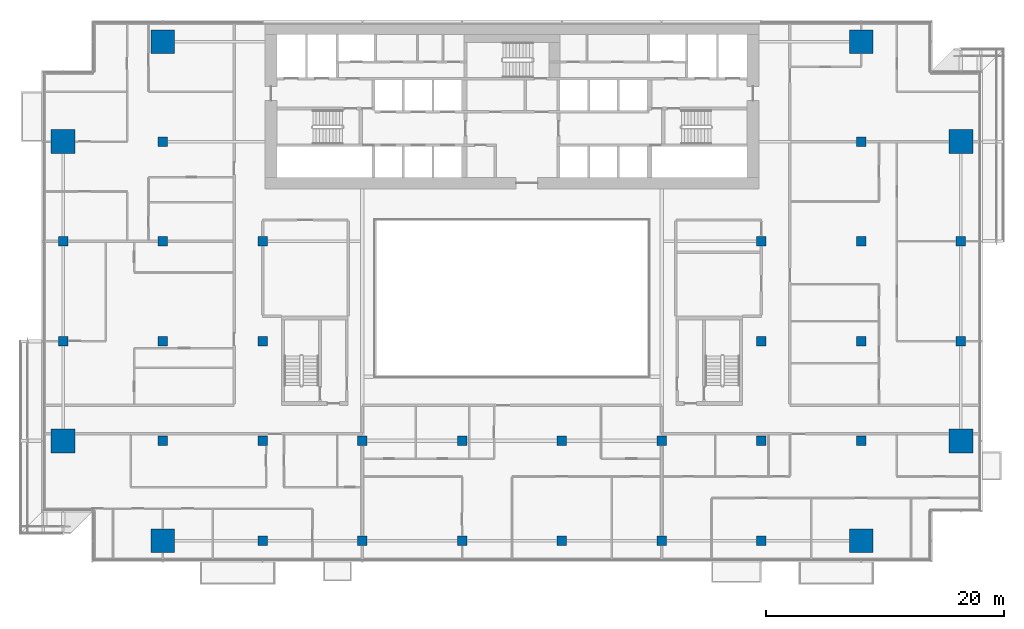
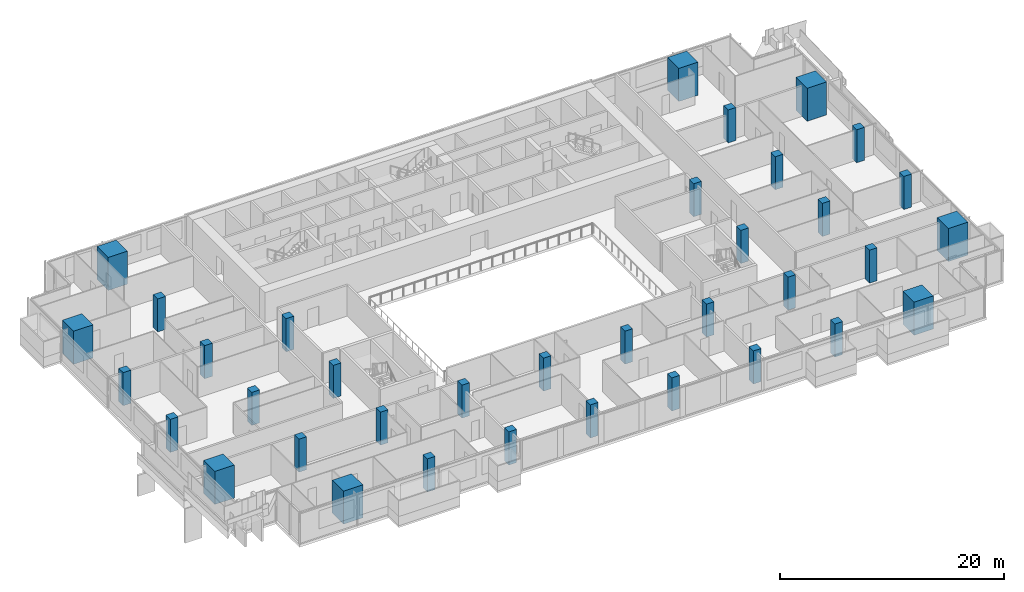
# One storey, part 1 of 29: 36 columns.
"""IFC4 building model written with IfcOpenShell, lengths in metres."""

from ifc_helpers import new_model, si_unit, direction, frame, origin, origin_2d, place, context, subcontext, project, spatial, rectangle, extrude, material, material_profile, profile_set, type_object, element, save


model = new_model("IFC4")

# Units and contexts
model_context = context("Model", 3, precision=1e-05, world=origin(), true_north=direction((0.0, 1.0)))
body_context = subcontext(model_context, "Body", "Model", "MODEL_VIEW")
ifc_project = project(units=[si_unit("LENGTHUNIT", "METRE"), si_unit("AREAUNIT", "SQUARE_METRE"), si_unit("VOLUMEUNIT", "CUBIC_METRE"), si_unit("PLANEANGLEUNIT", "RADIAN"), si_unit("MASSUNIT", "GRAM", prefix="KILO")], contexts=[model_context])

# Site, building, storey
site_placement = place(None, origin())
site = spatial("IfcSite", under=ifc_project, at=site_placement, CompositionType="ELEMENT")
building_placement = place(site_placement, origin())
building = spatial("IfcBuilding", under=site, at=building_placement, Name="Saffron Gate Tower", CompositionType="ELEMENT")
storey_placement = place(building_placement, frame((0.0, 0.0, 113.25)))
storey = spatial("IfcBuildingStorey", under=building, at=storey_placement, Name="L26", CompositionType="ELEMENT", Elevation=113.25)

# Columns
ifc_material_1 = material(Name="Concrete C60", Category="concrete")
ifc_material_profile_1 = material_profile(ifc_material_1, rectangle(XDim=0.800048828125, YDim=0.800048828125, at=origin_2d()))
ifc_profile_set_1 = profile_set([ifc_material_profile_1], Name="Concrete C60")
column_type_1 = type_object("IfcColumnType", Name="C5 RC 800x800 CONCRETE C60", PredefinedType="COLUMN", material=ifc_profile_set_1)
for number, where, z_axis, x_axis, name in (
    (1, (49.800048828125, 48.60009765625, 0.0), (0.0, 0.0, 1.0), (1.0, 0.0, 0.0), "C5 COLUMN X1-C"),
    (2, (49.800048828125, 57.0, 0.0), (0.0, 0.0, 1.0), (1.0, 0.0, 0.0), "C5 COLUMN X1-D"),
    (3, (58.199951171875, 40.199951171875, 0.0), (0.0, 0.0, 1.0), (1.0, 0.0, 0.0), "C5 COLUMN X2-B"),
    (4, (58.199951171875, 48.60009765625, 0.0), (0.0, 0.0, 1.0), (1.0, 0.0, 0.0), "C5 COLUMN X2-C"),
    (5, (58.199951171875, 57.0, 0.0), (0.0, 0.0, 1.0), (1.0, 0.0, 0.0), "C5 COLUMN X2-D"),
    (6, (58.199951171875, 65.39990234375, 0.0), (0.0, 0.0, 1.0), (1.0, 0.0, 0.0), "C5 COLUMN X2-E"),
    (7, (66.60009765625, 31.800048828125, 0.0), (0.0, 0.0, 1.0), (1.0, 0.0, 0.0), "C5 COLUMN X3-A"),
    (8, (66.60009765625, 40.199951171875, 0.0), (0.0, 0.0, 1.0), (1.0, 0.0, 0.0), "C5 COLUMN X3-B"),
    (9, (66.60009765625, 48.60009765625, 0.0), (0.0, 0.0, 1.0), (1.0, 0.0, 0.0), "C5 COLUMN X3-C"),
    (10, (66.60009765625, 57.0, 0.0), (0.0, 0.0, 1.0), (1.0, 0.0, 0.0), "C5 COLUMN X3-D"),
    (11, (75.0, 31.800048828125, 0.0), (0.0, 0.0, 1.0), (1.0, 0.0, 0.0), "C5 COLUMN X4-A"),
    (12, (75.0, 40.199951171875, 0.0), (0.0, 0.0, 1.0), (1.0, 0.0, 0.0), "C5 COLUMN X4-B"),
    (13, (83.39990234375, 31.800048828125, 0.0), (0.0, 0.0, 1.0), (1.0, 0.0, 0.0), "C5 COLUMN X5-A"),
    (14, (83.39990234375, 40.199951171875, 0.0), (0.0, 0.0, 1.0), (1.0, 0.0, 0.0), "C5 COLUMN X5-B"),
    (15, (91.800048828125, 31.800048828125, 0.0), (0.0, 0.0, 1.0), (1.0, 0.0, 0.0), "C5 COLUMN X6-A"),
    (16, (91.800048828125, 40.199951171875, 0.0), (0.0, 0.0, 1.0), (1.0, 0.0, 0.0), "C5 COLUMN X6-B"),
    (17, (100.199951171875, 31.800048828125, 0.0), (0.0, 0.0, 1.0), (1.0, 0.0, 0.0), "C5 COLUMN X7-A"),
    (18, (100.199951171875, 40.199951171875, 0.0), (0.0, 0.0, 1.0), (1.0, 0.0, 0.0), "C5 COLUMN X7-B"),
    (19, (108.60009765625, 31.800048828125, 0.0), (0.0, 0.0, 1.0), (1.0, 0.0, 0.0), "C5 COLUMN X8-A"),
    (20, (108.60009765625, 40.199951171875, 0.0), (0.0, 0.0, 1.0), (1.0, 0.0, 0.0), "C5 COLUMN X8-B"),
    (21, (108.60009765625, 48.60009765625, 0.0), (0.0, 0.0, 1.0), (1.0, 0.0, 0.0), "C5 COLUMN X8-C"),
    (22, (108.60009765625, 57.0, 0.0), (0.0, 0.0, 1.0), (1.0, 0.0, 0.0), "C5 COLUMN X8-D"),
    (23, (117.0, 40.199951171875, 0.0), (0.0, 0.0, 1.0), (1.0, 0.0, 0.0), "C5 COLUMN X9-B"),
    (24, (117.0, 48.60009765625, 0.0), (0.0, 0.0, 1.0), (1.0, 0.0, 0.0), "C5 COLUMN X9-C"),
    (25, (117.0, 57.0, 0.0), (0.0, 0.0, 1.0), (1.0, 0.0, 0.0), "C5 COLUMN X9-D"),
    (26, (117.0, 65.39990234375, 0.0), (0.0, 0.0, 1.0), (1.0, 0.0, 0.0), "C5 COLUMN X9-E"),
    (27, (125.39990234375, 48.60009765625, 0.0), (0.0, 0.0, 1.0), (1.0, 0.0, 0.0), "C5 COLUMN X10-C"),
    (28, (125.39990234375, 57.0, 0.0), (0.0, 0.0, 1.0), (1.0, 0.0, 0.0), "C5 COLUMN X10-D"),
):
    element("IfcColumn", number, at=place(storey_placement, frame(where, z_axis=z_axis, x_axis=x_axis)), inside=storey, type_object=column_type_1, Name=name, PredefinedType="COLUMN", context=body_context, shape_type="SweptSolid", body=[
        extrude(rectangle(XDim=0.800048828125, YDim=0.800048828125, at=origin_2d()), origin(), (0.0, 0.0, 1.0), 3.60009765625),
    ])
ifc_material_2 = material(Name="Concrete C80", Category="concrete")
ifc_material_profile_2 = material_profile(ifc_material_2, rectangle(XDim=2.0, YDim=2.0, at=origin_2d()))
ifc_profile_set_2 = profile_set([ifc_material_profile_2], Name="Concrete C80")
column_type_2 = type_object("IfcColumnType", Name="MC3 RC 2000x2000 CONCRETE C80", PredefinedType="COLUMN", material=ifc_profile_set_2)
for number, where, z_axis, x_axis, name in (
    (29, (49.800048828125, 40.199951171875, 0.0), (0.0, 0.0, 1.0), (1.0, 0.0, 0.0), "MC3 MEGA COLUMN X1-B"),
    (30, (49.800048828125, 65.39990234375, 0.0), (0.0, 0.0, 1.0), (1.0, 0.0, 0.0), "MC3 MEGA COLUMN X1-E"),
    (31, (58.199951171875, 31.800048828125, 0.0), (0.0, 0.0, 1.0), (1.0, 0.0, 0.0), "MC3 MEGA COLUMN X2-A"),
    (32, (58.199951171875, 73.800048828125, 0.0), (0.0, 0.0, 1.0), (1.0, 0.0, 0.0), "MC3 MEGA COLUMN X2-F"),
    (33, (117.0, 31.800048828125, 0.0), (0.0, 0.0, 1.0), (1.0, 0.0, 0.0), "MC3 MEGA COLUMN X9-A"),
    (34, (117.0, 73.800048828125, 0.0), (0.0, 0.0, 1.0), (1.0, 0.0, 0.0), "MC3 MEGA COLUMN X9-F"),
    (35, (125.39990234375, 40.199951171875, 0.0), (0.0, 0.0, 1.0), (1.0, 0.0, 0.0), "MC3 MEGA COLUMN X10-B"),
    (36, (125.39990234375, 65.39990234375, 0.0), (0.0, 0.0, 1.0), (1.0, 0.0, 0.0), "MC3 MEGA COLUMN X10-E"),
):
    element("IfcColumn", number, at=place(storey_placement, frame(where, z_axis=z_axis, x_axis=x_axis)), inside=storey, type_object=column_type_2, Name=name, PredefinedType="COLUMN", context=body_context, shape_type="SweptSolid", body=[
        extrude(rectangle(XDim=2.0, YDim=2.0, at=origin_2d()), origin(), (0.0, 0.0, 1.0), 3.60009765625),
    ])

save(model, "model.ifc")
